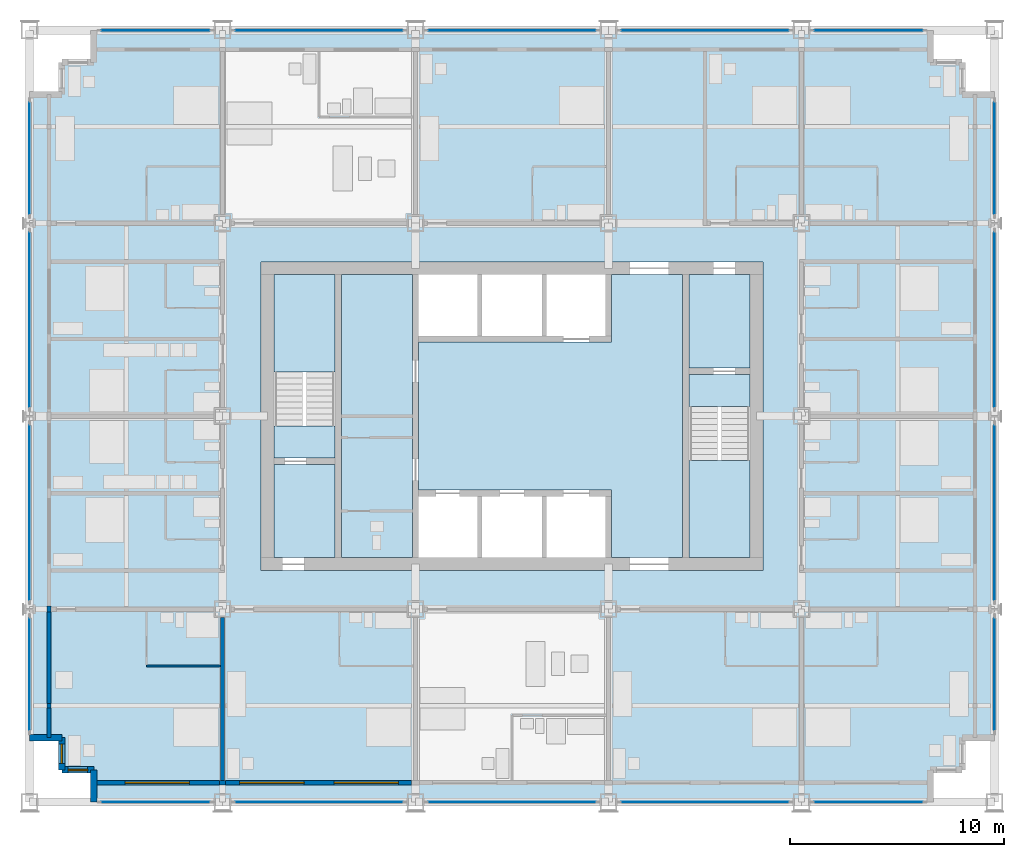
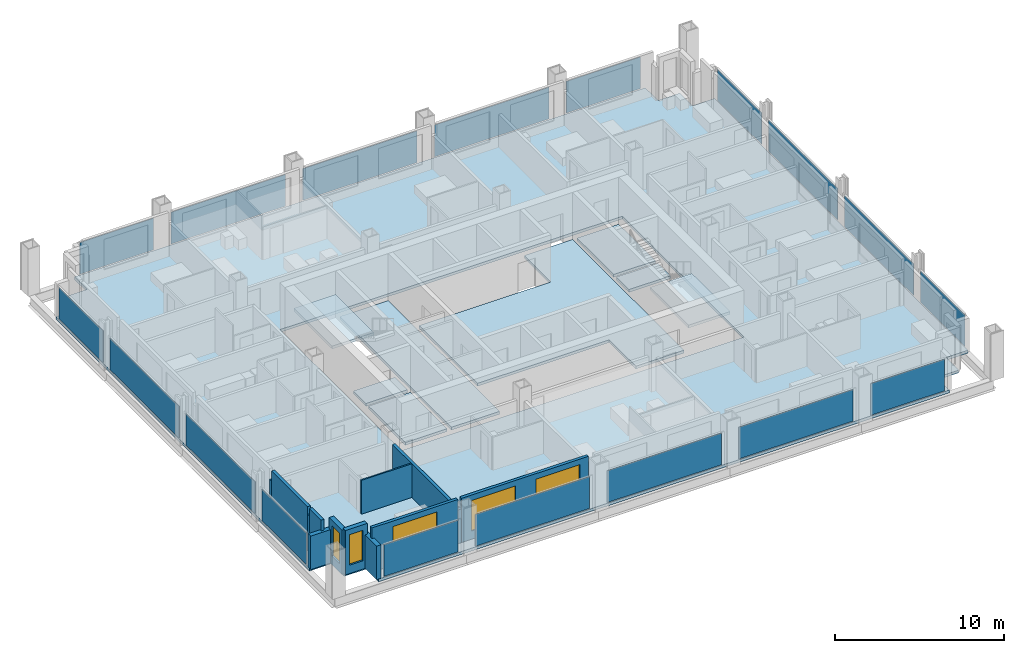
# One storey, part 8 of 16: 18 plates, 13 walls, 9 slabs, 5 windows, 5 openings, 20 elements without a shape of their own.
"""IFC4 building model written with IfcOpenShell, lengths in metres."""

from ifc_helpers import new_model, si_unit, direction, frame, frame_2d, origin, origin_2d, place, context, subcontext, project, spatial, polyline, rectangle, outline, extrude, material, layer, layer_set, type_object, element, fill, aggregate, save


model = new_model("IFC4")

# Units and contexts
model_context = context("Model", 3, precision=1e-05, world=origin(), true_north=direction((0.0, 1.0)))
body_context = subcontext(model_context, "Body", "Model", "MODEL_VIEW")
ifc_project = project(units=[si_unit("LENGTHUNIT", "METRE"), si_unit("AREAUNIT", "SQUARE_METRE"), si_unit("VOLUMEUNIT", "CUBIC_METRE"), si_unit("PLANEANGLEUNIT", "RADIAN"), si_unit("MASSUNIT", "GRAM", prefix="KILO")], contexts=[model_context])

# Site, building, storey
site_placement = place(None, origin())
site = spatial("IfcSite", under=ifc_project, at=site_placement, CompositionType="ELEMENT")
building_placement = place(site_placement, origin())
building = spatial("IfcBuilding", under=site, at=building_placement, Name="Loomwork Tower", CompositionType="ELEMENT")
storey_placement = place(building_placement, frame((0.0, 0.0, 114.60009765625)))
storey = spatial("IfcBuildingStorey", under=building, at=storey_placement, Name="L30", CompositionType="ELEMENT", Elevation=114.60009765625)

# Slabs
ifc_material_1 = material(Name="Concrete 5000 psi (34 MPa) on composite metal deck", Category="concrete")
ifc_layer_1 = layer(ifc_material_1, 0.199951171875)
ifc_layer_set_1 = layer_set([ifc_layer_1], Name="Floor slab 200")
slab_type_1 = type_object("IfcSlabType", Name="Floor slab 200", PredefinedType="FLOOR", material=ifc_layer_set_1)
slab_1_placement = place(storey_placement, frame((0.0, 0.0, -0.2001953125)))
element("IfcSlab", 1, at=slab_1_placement, inside=storey, type_object=slab_type_1, Name="Floor slab L30", PredefinedType="FLOOR", context=body_context, shape_type="SweptSolid", body=[
    extrude(outline(polyline([(3.0, 1.5), (1.5, 1.5), (1.5, 3.0), (0.0, 3.0), (0.0, 33.0), (1.5, 33.0), (1.5, 34.5), (3.0, 34.5), (3.0, 36.0), (42.0, 36.0), (42.0, 34.5), (43.5, 34.5), (43.5, 33.0), (45.0, 33.0), (45.0, 3.0), (43.5, 3.0), (43.5, 1.5), (42.0, 1.5), (42.0, 0.0), (3.0, 0.0), (3.0, 1.5)]), holes=[polyline([(10.800048828125, 11.39990234375), (10.800048828125, 11.39990234375), (10.800048828125, 10.800048828125), (34.199951171875, 10.800048828125), (34.199951171875, 11.39990234375), (34.199951171875, 11.39990234375), (34.199951171875, 24.60009765625), (34.199951171875, 25.199951171875), (10.800048828125, 25.199951171875), (10.800048828125, 24.60009765625), (10.800048828125, 11.39990234375)])]), origin(), (0.0, 0.0, 1.0), 0.2001953125),
])
slab_2_placement = place(storey_placement, frame((0.0, 0.0, -0.2001953125)))
element("IfcSlab", 2, at=slab_2_placement, inside=storey, type_object=slab_type_1, Name="Floor slab L30", PredefinedType="FLOOR", context=body_context, shape_type="SweptSolid", body=[
    extrude(outline(polyline([(30.449951171875, 24.60009765625), (30.449951171875, 11.39990234375), (27.14990234375, 11.39990234375), (27.14990234375, 14.25), (27.14990234375, 14.550048828125), (18.14990234375, 14.550048828125), (18.14990234375, 21.449951171875), (27.14990234375, 21.449951171875), (27.14990234375, 21.75), (27.14990234375, 24.60009765625), (30.449951171875, 24.60009765625)])), origin(), (0.0, 0.0, 1.0), 0.2001953125),
])
slab_3_placement = place(storey_placement, frame((0.0, 0.0, -0.2001953125)))
element("IfcSlab", 3, at=slab_3_placement, inside=storey, type_object=slab_type_1, Name="Floor slab L30", PredefinedType="FLOOR", context=body_context, shape_type="SweptSolid", body=[
    extrude(outline(polyline([(14.550048828125, 11.39990234375), (14.550048828125, 24.60009765625), (17.85009765625, 24.60009765625), (17.85009765625, 11.39990234375), (14.550048828125, 11.39990234375)])), origin(), (0.0, 0.0, 1.0), 0.2001953125),
])
slab_4_placement = place(storey_placement, frame((0.0, 0.0, -0.2001953125)))
element("IfcSlab", 4, at=slab_4_placement, inside=storey, type_object=slab_type_1, Name="Floor slab L30", PredefinedType="FLOOR", context=body_context, shape_type="SweptSolid", body=[
    extrude(outline(polyline([(33.60009765625, 20.25), (30.75, 20.25), (30.75, 24.60009765625), (33.60009765625, 24.60009765625), (33.60009765625, 20.25)])), origin(), (0.0, 0.0, 1.0), 0.2001953125),
])
slab_5_placement = place(storey_placement, frame((0.0, 0.0, -0.2001953125)))
element("IfcSlab", 5, at=slab_5_placement, inside=storey, type_object=slab_type_1, Name="Floor slab L30", PredefinedType="FLOOR", context=body_context, shape_type="SweptSolid", body=[
    extrude(outline(polyline([(14.25, 15.75), (14.25, 11.39990234375), (11.39990234375, 11.39990234375), (11.39990234375, 15.75), (14.25, 15.75)])), origin(), (0.0, 0.0, 1.0), 0.2001953125),
])

# Curtain wall, plate
ifc_material_2 = material(Name="Aluminium curtain wall frame", Category="aluminium")
curtain_wall_type = type_object("IfcCurtainWallType", Name="Outer skin glazing hotel", PredefinedType="NOTDEFINED", material=ifc_material_2)
curtain_wall_1_placement = place(storey_placement, origin())
curtain_wall_1 = element("IfcCurtainWall", 6, at=curtain_wall_1_placement, inside=storey, type_object=curtain_wall_type, Name="Outer skin glazing hotel cw/S-0", PredefinedType="NOTDEFINED")
ifc_material_3 = material(Name="Clear laminated glass", Category="glass")
ifc_layer_2 = layer(ifc_material_3, 0.02392578125)
ifc_layer_set_2 = layer_set([ifc_layer_2], Name="Outer skin glazing hotel panel")
plate_type = type_object("IfcPlateType", Name="Outer skin glazing hotel panel", PredefinedType="CURTAIN_PANEL", material=ifc_layer_set_2)
plate_1_placement = place(storey_placement, frame((5.875, 0.0, 0.06494140625), z_axis=(0.0, 0.0, 1.0), x_axis=(1.0, 0.0, 0.0)))
plate_1 = element("IfcPlate", 7, at=plate_1_placement, type_object=plate_type, Name="CW1 panel 1.1", PredefinedType="CURTAIN_PANEL", context=body_context, shape_type="SweptSolid", body=[
    extrude(rectangle(XDim=5.050048828125, YDim=0.02392578125, at=origin_2d()), origin(), (0.0, 0.0, 1.0), 2.290283203125),
])
aggregate(curtain_wall_1, [plate_1])

curtain_wall_2_placement = place(storey_placement, origin())
curtain_wall_2 = element("IfcCurtainWall", 8, at=curtain_wall_2_placement, inside=storey, type_object=curtain_wall_type, Name="Outer skin glazing hotel cw/S-9", PredefinedType="NOTDEFINED")
plate_2_placement = place(storey_placement, frame((13.5, 0.0, 0.06494140625), z_axis=(0.0, 0.0, 1.0), x_axis=(1.0, 0.0, 0.0)))
plate_2 = element("IfcPlate", 9, at=plate_2_placement, type_object=plate_type, Name="CW1 panel 1.1", PredefinedType="CURTAIN_PANEL", context=body_context, shape_type="SweptSolid", body=[
    extrude(rectangle(XDim=7.800048828125, YDim=0.02392578125, at=origin_2d()), origin(), (0.0, 0.0, 1.0), 2.290283203125),
])
aggregate(curtain_wall_2, [plate_2])

curtain_wall_3_placement = place(storey_placement, origin())
curtain_wall_3 = element("IfcCurtainWall", 10, at=curtain_wall_3_placement, inside=storey, type_object=curtain_wall_type, Name="Outer skin glazing hotel cw/S-18", PredefinedType="NOTDEFINED")
plate_3_placement = place(storey_placement, frame((22.5, 0.0, 0.06494140625), z_axis=(0.0, 0.0, 1.0), x_axis=(1.0, 0.0, 0.0)))
plate_3 = element("IfcPlate", 11, at=plate_3_placement, type_object=plate_type, Name="CW1 panel 1.1", PredefinedType="CURTAIN_PANEL", context=body_context, shape_type="SweptSolid", body=[
    extrude(rectangle(XDim=7.800048828125, YDim=0.02392578125, at=origin_2d()), origin(), (0.0, 0.0, 1.0), 2.290283203125),
])
aggregate(curtain_wall_3, [plate_3])

curtain_wall_4_placement = place(storey_placement, origin())
curtain_wall_4 = element("IfcCurtainWall", 12, at=curtain_wall_4_placement, inside=storey, type_object=curtain_wall_type, Name="Outer skin glazing hotel cw/S-27", PredefinedType="NOTDEFINED")
plate_4_placement = place(storey_placement, frame((31.5, 0.0, 0.06494140625), z_axis=(0.0, 0.0, 1.0), x_axis=(1.0, 0.0, 0.0)))
plate_4 = element("IfcPlate", 13, at=plate_4_placement, type_object=plate_type, Name="CW1 panel 1.1", PredefinedType="CURTAIN_PANEL", context=body_context, shape_type="SweptSolid", body=[
    extrude(rectangle(XDim=7.800048828125, YDim=0.02392578125, at=origin_2d()), origin(), (0.0, 0.0, 1.0), 2.290283203125),
])
aggregate(curtain_wall_4, [plate_4])

curtain_wall_5_placement = place(storey_placement, origin())
curtain_wall_5 = element("IfcCurtainWall", 14, at=curtain_wall_5_placement, inside=storey, type_object=curtain_wall_type, Name="Outer skin glazing hotel cw/S-36", PredefinedType="NOTDEFINED")
plate_5_placement = place(storey_placement, frame((39.125, 0.0, 0.06494140625), z_axis=(0.0, 0.0, 1.0), x_axis=(1.0, 0.0, 0.0)))
plate_5 = element("IfcPlate", 15, at=plate_5_placement, type_object=plate_type, Name="CW1 panel 1.1", PredefinedType="CURTAIN_PANEL", context=body_context, shape_type="SweptSolid", body=[
    extrude(rectangle(XDim=5.050048828125, YDim=0.02392578125, at=origin_2d()), origin(), (0.0, 0.0, 1.0), 2.290283203125),
])
aggregate(curtain_wall_5, [plate_5])

curtain_wall_6_placement = place(storey_placement, origin())
curtain_wall_6 = element("IfcCurtainWall", 16, at=curtain_wall_6_placement, inside=storey, type_object=curtain_wall_type, Name="Outer skin glazing hotel cw/N-0", PredefinedType="NOTDEFINED")
plate_6_placement = place(storey_placement, frame((5.875, 36.0, 0.06494140625), z_axis=(0.0, 0.0, 1.0), x_axis=(-1.0, 0.0, 0.0)))
plate_6 = element("IfcPlate", 17, at=plate_6_placement, type_object=plate_type, Name="CW1 panel 1.1", PredefinedType="CURTAIN_PANEL", context=body_context, shape_type="SweptSolid", body=[
    extrude(rectangle(XDim=5.050048828125, YDim=0.02392578125, at=origin_2d()), origin(), (0.0, 0.0, 1.0), 2.290283203125),
])
aggregate(curtain_wall_6, [plate_6])

curtain_wall_7_placement = place(storey_placement, origin())
curtain_wall_7 = element("IfcCurtainWall", 18, at=curtain_wall_7_placement, inside=storey, type_object=curtain_wall_type, Name="Outer skin glazing hotel cw/N-9", PredefinedType="NOTDEFINED")
plate_7_placement = place(storey_placement, frame((13.5, 36.0, 0.06494140625), z_axis=(0.0, 0.0, 1.0), x_axis=(-1.0, 0.0, 0.0)))
plate_7 = element("IfcPlate", 19, at=plate_7_placement, type_object=plate_type, Name="CW1 panel 1.1", PredefinedType="CURTAIN_PANEL", context=body_context, shape_type="SweptSolid", body=[
    extrude(rectangle(XDim=7.800048828125, YDim=0.02392578125, at=origin_2d()), origin(), (0.0, 0.0, 1.0), 2.290283203125),
])
aggregate(curtain_wall_7, [plate_7])

curtain_wall_8_placement = place(storey_placement, origin())
curtain_wall_8 = element("IfcCurtainWall", 20, at=curtain_wall_8_placement, inside=storey, type_object=curtain_wall_type, Name="Outer skin glazing hotel cw/N-18", PredefinedType="NOTDEFINED")
plate_8_placement = place(storey_placement, frame((22.5, 36.0, 0.06494140625), z_axis=(0.0, 0.0, 1.0), x_axis=(-1.0, 0.0, 0.0)))
plate_8 = element("IfcPlate", 21, at=plate_8_placement, type_object=plate_type, Name="CW1 panel 1.1", PredefinedType="CURTAIN_PANEL", context=body_context, shape_type="SweptSolid", body=[
    extrude(rectangle(XDim=7.800048828125, YDim=0.02392578125, at=origin_2d()), origin(), (0.0, 0.0, 1.0), 2.290283203125),
])
aggregate(curtain_wall_8, [plate_8])

curtain_wall_9_placement = place(storey_placement, origin())
curtain_wall_9 = element("IfcCurtainWall", 22, at=curtain_wall_9_placement, inside=storey, type_object=curtain_wall_type, Name="Outer skin glazing hotel cw/N-27", PredefinedType="NOTDEFINED")
plate_9_placement = place(storey_placement, frame((31.5, 36.0, 0.06494140625), z_axis=(0.0, 0.0, 1.0), x_axis=(-1.0, 0.0, 0.0)))
plate_9 = element("IfcPlate", 23, at=plate_9_placement, type_object=plate_type, Name="CW1 panel 1.1", PredefinedType="CURTAIN_PANEL", context=body_context, shape_type="SweptSolid", body=[
    extrude(rectangle(XDim=7.800048828125, YDim=0.02392578125, at=origin_2d()), origin(), (0.0, 0.0, 1.0), 2.290283203125),
])
aggregate(curtain_wall_9, [plate_9])

curtain_wall_10_placement = place(storey_placement, origin())
curtain_wall_10 = element("IfcCurtainWall", 24, at=curtain_wall_10_placement, inside=storey, type_object=curtain_wall_type, Name="Outer skin glazing hotel cw/N-36", PredefinedType="NOTDEFINED")
plate_10_placement = place(storey_placement, frame((39.125, 36.0, 0.06494140625), z_axis=(0.0, 0.0, 1.0), x_axis=(-1.0, 0.0, 0.0)))
plate_10 = element("IfcPlate", 25, at=plate_10_placement, type_object=plate_type, Name="CW1 panel 1.1", PredefinedType="CURTAIN_PANEL", context=body_context, shape_type="SweptSolid", body=[
    extrude(rectangle(XDim=5.050048828125, YDim=0.02392578125, at=origin_2d()), origin(), (0.0, 0.0, 1.0), 2.290283203125),
])
aggregate(curtain_wall_10, [plate_10])

curtain_wall_11_placement = place(storey_placement, origin())
curtain_wall_11 = element("IfcCurtainWall", 26, at=curtain_wall_11_placement, inside=storey, type_object=curtain_wall_type, Name="Outer skin glazing hotel cw/W-0", PredefinedType="NOTDEFINED")
plate_11_placement = place(storey_placement, frame((0.0, 5.962646484375, 0.06494140625), z_axis=(0.0, 0.0, 1.0), x_axis=(0.0, -1.0, 0.0)))
plate_11 = element("IfcPlate", 27, at=plate_11_placement, type_object=plate_type, Name="CW1 panel 1.1", PredefinedType="CURTAIN_PANEL", context=body_context, shape_type="SweptSolid", body=[
    extrude(rectangle(XDim=5.22509765625, YDim=0.02392578125, at=origin_2d()), origin(), (0.0, 0.0, 1.0), 2.290283203125),
])
aggregate(curtain_wall_11, [plate_11])

curtain_wall_12_placement = place(storey_placement, origin())
curtain_wall_12 = element("IfcCurtainWall", 28, at=curtain_wall_12_placement, inside=storey, type_object=curtain_wall_type, Name="Outer skin glazing hotel cw/W-9", PredefinedType="NOTDEFINED")
plate_12_placement = place(storey_placement, frame((0.0, 13.5, 0.06494140625), z_axis=(0.0, 0.0, 1.0), x_axis=(0.0, -1.0, 0.0)))
plate_12 = element("IfcPlate", 29, at=plate_12_placement, type_object=plate_type, Name="CW1 panel 1.1", PredefinedType="CURTAIN_PANEL", context=body_context, shape_type="SweptSolid", body=[
    extrude(rectangle(XDim=8.150390625, YDim=0.02392578125, at=origin_2d()), origin(), (0.0, 0.0, 1.0), 2.290283203125),
])
aggregate(curtain_wall_12, [plate_12])

curtain_wall_13_placement = place(storey_placement, origin())
curtain_wall_13 = element("IfcCurtainWall", 30, at=curtain_wall_13_placement, inside=storey, type_object=curtain_wall_type, Name="Outer skin glazing hotel cw/W-18", PredefinedType="NOTDEFINED")
plate_13_placement = place(storey_placement, frame((0.0, 22.5, 0.06494140625), z_axis=(0.0, 0.0, 1.0), x_axis=(0.0, -1.0, 0.0)))
plate_13 = element("IfcPlate", 31, at=plate_13_placement, type_object=plate_type, Name="CW1 panel 1.1", PredefinedType="CURTAIN_PANEL", context=body_context, shape_type="SweptSolid", body=[
    extrude(rectangle(XDim=8.150390625, YDim=0.02392578125, at=origin_2d()), origin(), (0.0, 0.0, 1.0), 2.290283203125),
])
aggregate(curtain_wall_13, [plate_13])

curtain_wall_14_placement = place(storey_placement, origin())
curtain_wall_14 = element("IfcCurtainWall", 32, at=curtain_wall_14_placement, inside=storey, type_object=curtain_wall_type, Name="Outer skin glazing hotel cw/W-27", PredefinedType="NOTDEFINED")
plate_14_placement = place(storey_placement, frame((0.0, 30.037353515625, 0.06494140625), z_axis=(0.0, 0.0, 1.0), x_axis=(0.0, -1.0, 0.0)))
plate_14 = element("IfcPlate", 33, at=plate_14_placement, type_object=plate_type, Name="CW1 panel 1.1", PredefinedType="CURTAIN_PANEL", context=body_context, shape_type="SweptSolid", body=[
    extrude(rectangle(XDim=5.22509765625, YDim=0.02392578125, at=origin_2d()), origin(), (0.0, 0.0, 1.0), 2.290283203125),
])
aggregate(curtain_wall_14, [plate_14])

curtain_wall_15_placement = place(storey_placement, origin())
curtain_wall_15 = element("IfcCurtainWall", 34, at=curtain_wall_15_placement, inside=storey, type_object=curtain_wall_type, Name="Outer skin glazing hotel cw/E-0", PredefinedType="NOTDEFINED")
plate_15_placement = place(storey_placement, frame((45.0, 5.962646484375, 0.06494140625), z_axis=(0.0, 0.0, 1.0), x_axis=(0.0, 1.0, 0.0)))
plate_15 = element("IfcPlate", 35, at=plate_15_placement, type_object=plate_type, Name="CW1 panel 1.1", PredefinedType="CURTAIN_PANEL", context=body_context, shape_type="SweptSolid", body=[
    extrude(rectangle(XDim=5.22509765625, YDim=0.02392578125, at=origin_2d()), origin(), (0.0, 0.0, 1.0), 2.290283203125),
])
aggregate(curtain_wall_15, [plate_15])

curtain_wall_16_placement = place(storey_placement, origin())
curtain_wall_16 = element("IfcCurtainWall", 36, at=curtain_wall_16_placement, inside=storey, type_object=curtain_wall_type, Name="Outer skin glazing hotel cw/E-9", PredefinedType="NOTDEFINED")
plate_16_placement = place(storey_placement, frame((45.0, 13.5, 0.06494140625), z_axis=(0.0, 0.0, 1.0), x_axis=(0.0, 1.0, 0.0)))
plate_16 = element("IfcPlate", 37, at=plate_16_placement, type_object=plate_type, Name="CW1 panel 1.1", PredefinedType="CURTAIN_PANEL", context=body_context, shape_type="SweptSolid", body=[
    extrude(rectangle(XDim=8.150390625, YDim=0.02392578125, at=origin_2d()), origin(), (0.0, 0.0, 1.0), 2.290283203125),
])
aggregate(curtain_wall_16, [plate_16])

curtain_wall_17_placement = place(storey_placement, origin())
curtain_wall_17 = element("IfcCurtainWall", 38, at=curtain_wall_17_placement, inside=storey, type_object=curtain_wall_type, Name="Outer skin glazing hotel cw/E-18", PredefinedType="NOTDEFINED")
plate_17_placement = place(storey_placement, frame((45.0, 22.5, 0.06494140625), z_axis=(0.0, 0.0, 1.0), x_axis=(0.0, 1.0, 0.0)))
plate_17 = element("IfcPlate", 39, at=plate_17_placement, type_object=plate_type, Name="CW1 panel 1.1", PredefinedType="CURTAIN_PANEL", context=body_context, shape_type="SweptSolid", body=[
    extrude(rectangle(XDim=8.150390625, YDim=0.02392578125, at=origin_2d()), origin(), (0.0, 0.0, 1.0), 2.290283203125),
])
aggregate(curtain_wall_17, [plate_17])

curtain_wall_18_placement = place(storey_placement, origin())
curtain_wall_18 = element("IfcCurtainWall", 40, at=curtain_wall_18_placement, inside=storey, type_object=curtain_wall_type, Name="Outer skin glazing hotel cw/E-27", PredefinedType="NOTDEFINED")
plate_18_placement = place(storey_placement, frame((45.0, 30.037353515625, 0.06494140625), z_axis=(0.0, 0.0, 1.0), x_axis=(0.0, 1.0, 0.0)))
plate_18 = element("IfcPlate", 41, at=plate_18_placement, type_object=plate_type, Name="CW1 panel 1.1", PredefinedType="CURTAIN_PANEL", context=body_context, shape_type="SweptSolid", body=[
    extrude(rectangle(XDim=5.22509765625, YDim=0.02392578125, at=origin_2d()), origin(), (0.0, 0.0, 1.0), 2.290283203125),
])
aggregate(curtain_wall_18, [plate_18])

# Stair, slabs
ifc_material_4 = material(Name="Concrete 5000 psi (34 MPa) precast stair", Category="concrete")
stair_type_1 = type_object("IfcStairType", Name="Stair ST-A 20 risers 2850 wide", PredefinedType="HALF_TURN_STAIR", material=ifc_material_4)
stair_1_placement = place(storey_placement, origin())
stair_1 = element("IfcStair", 42, at=stair_1_placement, inside=storey, type_object=stair_type_1, Name="Stair A L30", PredefinedType="HALF_TURN_STAIR")
ifc_material_5 = material(Name="Concrete 5000 psi (34 MPa)", Category="concrete")
ifc_layer_3 = layer(ifc_material_5, 0.199951171875)
ifc_layer_set_3 = layer_set([ifc_layer_3], Name="Stair landing 200")
slab_type_2 = type_object("IfcSlabType", Name="Stair landing 200", PredefinedType="LANDING", material=ifc_layer_set_3)
slab_6_placement = place(storey_placement, frame((0.0, 0.0, -0.2001953125)))
slab_6 = element("IfcSlab", 43, at=slab_6_placement, type_object=slab_type_2, Name="ST-A landing 1", PredefinedType="LANDING", context=body_context, shape_type="SweptSolid", body=[
    extrude(outline(polyline([(11.39990234375, 16.050048828125), (14.25, 16.050048828125), (14.25, 17.550048828125), (11.39990234375, 17.550048828125), (11.39990234375, 16.050048828125)])), origin(), (0.0, 0.0, 1.0), 0.2001953125),
])
slab_7_placement = place(storey_placement, frame((0.0, 0.0, 1.5)))
slab_7 = element("IfcSlab", 44, at=slab_7_placement, type_object=slab_type_2, Name="ST-A landing 2", PredefinedType="LANDING", context=body_context, shape_type="SweptSolid", body=[
    extrude(outline(polyline([(11.39990234375, 20.070068359375), (14.25, 20.070068359375), (14.25, 24.60009765625), (11.39990234375, 24.60009765625), (11.39990234375, 20.070068359375)])), origin(), (0.0, 0.0, 1.0), 0.199951171875),
])
aggregate(stair_1, [slab_6, slab_7])

ifc_material_6 = material(Name="Concrete 5000 psi (34 MPa) precast stair", Category="concrete")
stair_type_2 = type_object("IfcStairType", Name="Stair ST-B 20 risers 2850 wide", PredefinedType="HALF_TURN_STAIR", material=ifc_material_6)
stair_2_placement = place(storey_placement, origin())
stair_2 = element("IfcStair", 45, at=stair_2_placement, inside=storey, type_object=stair_type_2, Name="Stair B L30", PredefinedType="HALF_TURN_STAIR")
slab_8_placement = place(storey_placement, frame((0.0, 0.0, -0.2001953125)))
slab_8 = element("IfcSlab", 46, at=slab_8_placement, type_object=slab_type_2, Name="ST-B landing 1", PredefinedType="LANDING", context=body_context, shape_type="SweptSolid", body=[
    extrude(outline(polyline([(30.75, 18.449951171875), (33.60009765625, 18.449951171875), (33.60009765625, 19.949951171875), (30.75, 19.949951171875), (30.75, 18.449951171875)])), origin(), (0.0, 0.0, 1.0), 0.2001953125),
])
slab_9_placement = place(storey_placement, frame((0.0, 0.0, 1.5)))
slab_9 = element("IfcSlab", 47, at=slab_9_placement, type_object=slab_type_2, Name="ST-B landing 2", PredefinedType="LANDING", context=body_context, shape_type="SweptSolid", body=[
    extrude(outline(polyline([(30.75, 11.39990234375), (33.60009765625, 11.39990234375), (33.60009765625, 15.929931640625), (30.75, 15.929931640625), (30.75, 11.39990234375)])), origin(), (0.0, 0.0, 1.0), 0.199951171875),
])
aggregate(stair_2, [slab_8, slab_9])

# Walls
ifc_material_7 = material(Name="Cement board on steel studs", Category="steel")
ifc_layer_4 = layer(ifc_material_7, 0.10009765625)
ifc_layer_set_4 = layer_set([ifc_layer_4], Name="En-suite partition 100")
wall_type_1 = type_object("IfcWallType", Name="En-suite partition 100", PredefinedType="PARTITIONING", material=ifc_layer_set_4)
wall_1_placement = place(storey_placement, frame((5.449951171875, 6.35009765625, 0.0), z_axis=(0.0, 0.0, 1.0), x_axis=(1.0, 0.0, 0.0)))
element("IfcWall", 48, at=wall_1_placement, inside=storey, type_object=wall_type_1, Name="En-suite wall L30 room 1", PredefinedType="PARTITIONING", context=body_context, shape_type="SweptSolid", body=[
    extrude(rectangle(XDim=3.449951171875, YDim=0.10009765625, at=frame_2d((1.72509765625, 0.0))), origin(), (0.0, 0.0, 1.0), 2.43798828125),
])
ifc_material_8 = material(Name="Gypsum board on steel studs, acoustic", Category="steel")
ifc_layer_5 = layer(ifc_material_8, 0.199951171875)
ifc_layer_set_5 = layer_set([ifc_layer_5], Name="Guest room party wall 200")
wall_type_2 = type_object("IfcWallType", Name="Guest room party wall 200", PredefinedType="PARTITIONING", material=ifc_layer_set_5)
wall_2_placement = place(storey_placement, frame((9.0, 8.60009765625, 0.0), z_axis=(0.0, 0.0, 1.0), x_axis=(0.0, -1.0, 0.0)))
element("IfcWall", 49, at=wall_2_placement, inside=storey, type_object=wall_type_2, Name="Guest room party wall S 9", PredefinedType="PARTITIONING", context=body_context, shape_type="SweptSolid", body=[
    extrude(rectangle(XDim=7.60009765625, YDim=0.199951171875, at=frame_2d((3.800048828125, 0.0))), origin(), (0.0, 0.0, 1.0), 2.43798828125),
])

# Wall, opening, window
ifc_material_9 = material(Name="Insulated steel stud wall with gypsum lining", Category="steel")
ifc_layer_6 = layer(ifc_material_9, 0.199951171875)
ifc_layer_set_6 = layer_set([ifc_layer_6], Name="Inner skin wall 200")
wall_type_3 = type_object("IfcWallType", Name="Inner skin wall 200", PredefinedType="SOLIDWALL", material=ifc_layer_set_6)
wall_3_placement = place(storey_placement, frame((3.0, 0.89990234375, 0.0), z_axis=(0.0, 0.0, 1.0), x_axis=(1.0, 0.0, 0.0)))
wall_3 = element("IfcWall", 50, at=wall_3_placement, inside=storey, type_object=wall_type_3, Name="Inner skin wall S", PredefinedType="SOLIDWALL", context=body_context, shape_type="SweptSolid", body=[
    extrude(rectangle(XDim=5.86474609375, YDim=0.199951171875, at=frame_2d((2.932373046875, 0.0))), origin(), (0.0, 0.0, 1.0), 3.199951171875),
])
opening_1_placement = place(wall_3_placement, frame((1.449951171875, 0.0, 0.60009765625)))
opening_1 = element("IfcOpeningElement", 51, at=opening_1_placement, cuts=wall_3, Name="Opening CH1", PredefinedType="OPENING", context=body_context, shape_type="SweptSolid", body=[
    extrude(rectangle(XDim=3.0, YDim=2.199951171875, at=frame_2d((1.5, 1.10009765625))), frame((0.0, 0.10986328125, 0.0), z_axis=(0.0, -1.0, 0.0), x_axis=(1.0, 0.0, 0.0)), (0.0, 0.0, 1.0), 0.219970703125),
])
ifc_material_10 = material(Name="Aluminium frame with clear insulated glass", Category="aluminium")
window_type_1 = type_object("IfcWindowType", Name="Chicago window 3000", PartitioningType="TRIPLE_PANEL_VERTICAL", PredefinedType="WINDOW", material=ifc_material_10)
window_1_placement = place(opening_1_placement, origin())
window_1 = element("IfcWindow", 52, at=window_1_placement, inside=storey, type_object=window_type_1, Name="Chicago window L30 bay 1", OverallHeight=2.199951171875, OverallWidth=3.0, PartitioningType="TRIPLE_PANEL_VERTICAL", PredefinedType="WINDOW", context=body_context, shape_type="SweptSolid", body=[
    extrude(rectangle(XDim=3.0, YDim=2.199951171875, at=frame_2d((1.5, 1.10009765625))), frame((0.0, 0.030029296875, 0.0), z_axis=(0.0, -1.0, 0.0), x_axis=(1.0, 0.0, 0.0)), (0.0, 0.0, 1.0), 0.06005859375),
])
fill(opening_1, window_1)

# Walls
wall_4_placement = place(storey_placement, frame((0.89990234375, 3.0, 0.0), z_axis=(0.0, 0.0, 1.0), x_axis=(0.0, 1.0, 0.0)))
element("IfcWall", 53, at=wall_4_placement, inside=storey, type_object=wall_type_3, Name="Inner skin wall W", PredefinedType="SOLIDWALL", context=body_context, shape_type="SweptSolid", body=[
    extrude(rectangle(XDim=1.392578125, YDim=0.199951171875, at=frame_2d((0.6962890625, 0.0))), origin(), (0.0, 0.0, 1.0), 3.199951171875),
])
wall_5_placement = place(storey_placement, frame((8.86474609375, 0.89990234375, 0.0), z_axis=(0.0, 0.0, 1.0), x_axis=(1.0, 0.0, 0.0)))
element("IfcWall", 54, at=wall_5_placement, inside=storey, type_object=wall_type_3, Name="Inner skin wall S bay 2", PredefinedType="SOLIDWALL", context=body_context, shape_type="SweptSolid", body=[
    extrude(rectangle(XDim=0.2705078125, YDim=0.199951171875, at=frame_2d((0.13525390625, 0.0))), origin(), (0.0, 0.0, 1.0), 2.43798828125),
])

# Wall, openings, windows
wall_6_placement = place(storey_placement, frame((9.13525390625, 0.89990234375, 0.0), z_axis=(0.0, 0.0, 1.0), x_axis=(1.0, 0.0, 0.0)))
wall_6 = element("IfcWall", 55, at=wall_6_placement, inside=storey, type_object=wall_type_3, Name="Inner skin wall S bay 3", PredefinedType="SOLIDWALL", context=body_context, shape_type="SweptSolid", body=[
    extrude(rectangle(XDim=8.6708984375, YDim=0.199951171875, at=frame_2d((4.33544921875, 0.0))), origin(), (0.0, 0.0, 1.0), 3.199951171875),
])
opening_2_placement = place(wall_6_placement, frame((0.664794921875, 0.0, 0.60009765625)))
opening_2 = element("IfcOpeningElement", 56, at=opening_2_placement, cuts=wall_6, Name="Opening CH1", PredefinedType="OPENING", context=body_context, shape_type="SweptSolid", body=[
    extrude(rectangle(XDim=3.0, YDim=2.199951171875, at=frame_2d((1.5, 1.10009765625))), frame((0.0, 0.10986328125, 0.0), z_axis=(0.0, -1.0, 0.0), x_axis=(1.0, 0.0, 0.0)), (0.0, 0.0, 1.0), 0.219970703125),
])
opening_3_placement = place(wall_6_placement, frame((5.064697265625, 0.0, 0.60009765625)))
opening_3 = element("IfcOpeningElement", 57, at=opening_3_placement, cuts=wall_6, Name="Opening CH1", PredefinedType="OPENING", context=body_context, shape_type="SweptSolid", body=[
    extrude(rectangle(XDim=3.0, YDim=2.199951171875, at=frame_2d((1.5, 1.10009765625))), frame((0.0, 0.10986328125, 0.0), z_axis=(0.0, -1.0, 0.0), x_axis=(1.0, 0.0, 0.0)), (0.0, 0.0, 1.0), 0.219970703125),
])
window_2_placement = place(opening_2_placement, origin())
window_2 = element("IfcWindow", 58, at=window_2_placement, inside=storey, type_object=window_type_1, Name="Chicago window L30 bay 2", OverallHeight=2.199951171875, OverallWidth=3.0, PartitioningType="TRIPLE_PANEL_VERTICAL", PredefinedType="WINDOW", context=body_context, shape_type="SweptSolid", body=[
    extrude(rectangle(XDim=3.0, YDim=2.199951171875, at=frame_2d((1.5, 1.10009765625))), frame((0.0, 0.030029296875, 0.0), z_axis=(0.0, -1.0, 0.0), x_axis=(1.0, 0.0, 0.0)), (0.0, 0.0, 1.0), 0.06005859375),
])
fill(opening_2, window_2)
window_3_placement = place(opening_3_placement, origin())
window_3 = element("IfcWindow", 59, at=window_3_placement, inside=storey, type_object=window_type_1, Name="Chicago window L30 bay 2", OverallHeight=2.199951171875, OverallWidth=3.0, PartitioningType="TRIPLE_PANEL_VERTICAL", PredefinedType="WINDOW", context=body_context, shape_type="SweptSolid", body=[
    extrude(rectangle(XDim=3.0, YDim=2.199951171875, at=frame_2d((1.5, 1.10009765625))), frame((0.0, 0.030029296875, 0.0), z_axis=(0.0, -1.0, 0.0), x_axis=(1.0, 0.0, 0.0)), (0.0, 0.0, 1.0), 0.06005859375),
])
fill(opening_3, window_3)

# Walls
wall_7_placement = place(storey_placement, frame((0.89990234375, 4.392578125, 0.0), z_axis=(0.0, 0.0, 1.0), x_axis=(0.0, 1.0, 0.0)))
element("IfcWall", 60, at=wall_7_placement, inside=storey, type_object=wall_type_3, Name="Inner skin wall W bay 2", PredefinedType="SOLIDWALL", context=body_context, shape_type="SweptSolid", body=[
    extrude(rectangle(XDim=0.21484375, YDim=0.199951171875, at=frame_2d((0.107421875, 0.0))), origin(), (0.0, 0.0, 1.0), 2.660888671875),
])
wall_8_placement = place(storey_placement, frame((0.89990234375, 4.607421875, 0.0), z_axis=(0.0, 0.0, 1.0), x_axis=(0.0, 1.0, 0.0)))
element("IfcWall", 61, at=wall_8_placement, inside=storey, type_object=wall_type_3, Name="Inner skin wall W bay 3", PredefinedType="SOLIDWALL", context=body_context, shape_type="SweptSolid", body=[
    extrude(rectangle(XDim=4.25732421875, YDim=0.199951171875, at=frame_2d((2.128662109375, 0.0))), origin(), (0.0, 0.0, 1.0), 3.199951171875),
])
wall_9_placement = place(storey_placement, frame((0.89990234375, 8.86474609375, 0.0), z_axis=(0.0, 0.0, 1.0), x_axis=(0.0, 1.0, 0.0)))
element("IfcWall", 62, at=wall_9_placement, inside=storey, type_object=wall_type_3, Name="Inner skin wall W bay 4", PredefinedType="SOLIDWALL", context=body_context, shape_type="SweptSolid", body=[
    extrude(rectangle(XDim=0.2705078125, YDim=0.199951171875, at=frame_2d((0.13525390625, 0.0))), origin(), (0.0, 0.0, 1.0), 2.43798828125),
])
ifc_material_11 = material(Name="Limestone on concrete masonry", Category="masonry")
ifc_layer_7 = layer(ifc_material_11, 0.300048828125)
ifc_layer_set_7 = layer_set([ifc_layer_7], Name="Limestone corner wall 300")
wall_type_4 = type_object("IfcWallType", Name="Limestone corner wall 300", PredefinedType="SOLIDWALL", material=ifc_layer_set_7)
wall_10_placement = place(storey_placement, frame((0.0, 3.0, 0.0), z_axis=(0.0, 0.0, 1.0), x_axis=(1.0, 0.0, 0.0)))
element("IfcWall", 63, at=wall_10_placement, inside=storey, type_object=wall_type_4, Name="Stone corner wall SW 1", PredefinedType="SOLIDWALL", context=body_context, shape_type="SweptSolid", body=[
    extrude(rectangle(XDim=1.5, YDim=0.300048828125, at=frame_2d((0.75, 0.0))), origin(), (0.0, 0.0, 1.0), 2.419921875),
])

# Wall, opening, window
wall_11_placement = place(storey_placement, frame((1.5, 3.0, 0.0), z_axis=(0.0, 0.0, 1.0), x_axis=(0.0, -1.0, 0.0)))
wall_11 = element("IfcWall", 64, at=wall_11_placement, inside=storey, type_object=wall_type_4, Name="Stone corner wall SW 2", PredefinedType="SOLIDWALL", context=body_context, shape_type="SweptSolid", body=[
    extrude(rectangle(XDim=1.5, YDim=0.300048828125, at=frame_2d((0.75, 0.0))), origin(), (0.0, 0.0, 1.0), 3.199951171875),
])
opening_4_placement = place(wall_11_placement, frame((0.300048828125, 0.0, 0.60009765625)))
opening_4 = element("IfcOpeningElement", 65, at=opening_4_placement, cuts=wall_11, Name="Opening CH2", PredefinedType="OPENING", context=body_context, shape_type="SweptSolid", body=[
    extrude(rectangle(XDim=0.89990234375, YDim=2.199951171875, at=frame_2d((0.449951171875, 1.10009765625))), frame((0.0, 0.159912109375, 0.0), z_axis=(0.0, -1.0, 0.0), x_axis=(1.0, 0.0, 0.0)), (0.0, 0.0, 1.0), 0.320068359375),
])
ifc_material_12 = material(Name="Aluminium frame with clear insulated glass", Category="aluminium")
window_type_2 = type_object("IfcWindowType", Name="Corner window 900", PartitioningType="SINGLE_PANEL", PredefinedType="WINDOW", material=ifc_material_12)
window_4_placement = place(opening_4_placement, origin())
window_4 = element("IfcWindow", 66, at=window_4_placement, inside=storey, type_object=window_type_2, Name="Corner window SW", OverallHeight=2.199951171875, OverallWidth=0.89990234375, PartitioningType="SINGLE_PANEL", PredefinedType="WINDOW", context=body_context, shape_type="SweptSolid", body=[
    extrude(rectangle(XDim=0.89990234375, YDim=2.199951171875, at=frame_2d((0.449951171875, 1.10009765625))), frame((0.0, 0.030029296875, 0.0), z_axis=(0.0, -1.0, 0.0), x_axis=(1.0, 0.0, 0.0)), (0.0, 0.0, 1.0), 0.06005859375),
])
fill(opening_4, window_4)

wall_12_placement = place(storey_placement, frame((1.5, 1.5, 0.0), z_axis=(0.0, 0.0, 1.0), x_axis=(1.0, 0.0, 0.0)))
wall_12 = element("IfcWall", 67, at=wall_12_placement, inside=storey, type_object=wall_type_4, Name="Stone corner wall SW 3", PredefinedType="SOLIDWALL", context=body_context, shape_type="SweptSolid", body=[
    extrude(rectangle(XDim=1.5, YDim=0.300048828125, at=frame_2d((0.75, 0.0))), origin(), (0.0, 0.0, 1.0), 3.199951171875),
])
opening_5_placement = place(wall_12_placement, frame((0.300048828125, 0.0, 0.60009765625)))
opening_5 = element("IfcOpeningElement", 68, at=opening_5_placement, cuts=wall_12, Name="Opening CH2", PredefinedType="OPENING", context=body_context, shape_type="SweptSolid", body=[
    extrude(rectangle(XDim=0.89990234375, YDim=2.199951171875, at=frame_2d((0.449951171875, 1.10009765625))), frame((0.0, 0.159912109375, 0.0), z_axis=(0.0, -1.0, 0.0), x_axis=(1.0, 0.0, 0.0)), (0.0, 0.0, 1.0), 0.320068359375),
])
window_5_placement = place(opening_5_placement, origin())
window_5 = element("IfcWindow", 69, at=window_5_placement, inside=storey, type_object=window_type_2, Name="Corner window SW", OverallHeight=2.199951171875, OverallWidth=0.89990234375, PartitioningType="SINGLE_PANEL", PredefinedType="WINDOW", context=body_context, shape_type="SweptSolid", body=[
    extrude(rectangle(XDim=0.89990234375, YDim=2.199951171875, at=frame_2d((0.449951171875, 1.10009765625))), frame((0.0, 0.030029296875, 0.0), z_axis=(0.0, -1.0, 0.0), x_axis=(1.0, 0.0, 0.0)), (0.0, 0.0, 1.0), 0.06005859375),
])
fill(opening_5, window_5)

# Wall
wall_13_placement = place(storey_placement, frame((3.0, 1.5, 0.0), z_axis=(0.0, 0.0, 1.0), x_axis=(0.0, -1.0, 0.0)))
element("IfcWall", 70, at=wall_13_placement, inside=storey, type_object=wall_type_4, Name="Stone corner wall SW 4", PredefinedType="SOLIDWALL", context=body_context, shape_type="SweptSolid", body=[
    extrude(rectangle(XDim=1.5, YDim=0.300048828125, at=frame_2d((0.75, 0.0))), origin(), (0.0, 0.0, 1.0), 2.419921875),
])

save(model, "model.ifc")
